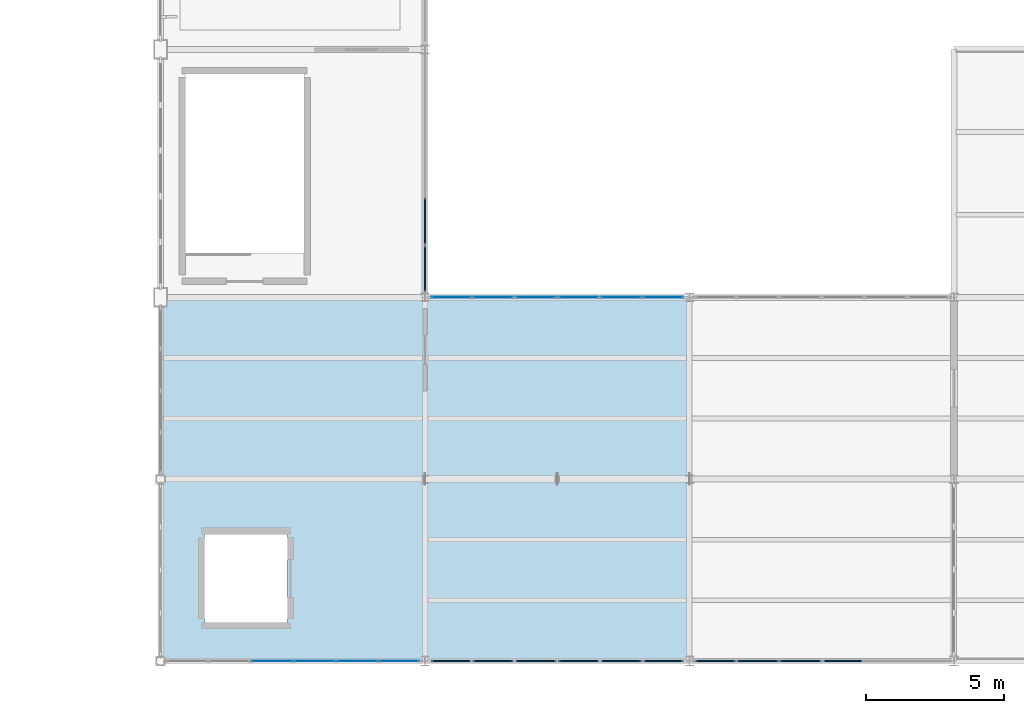
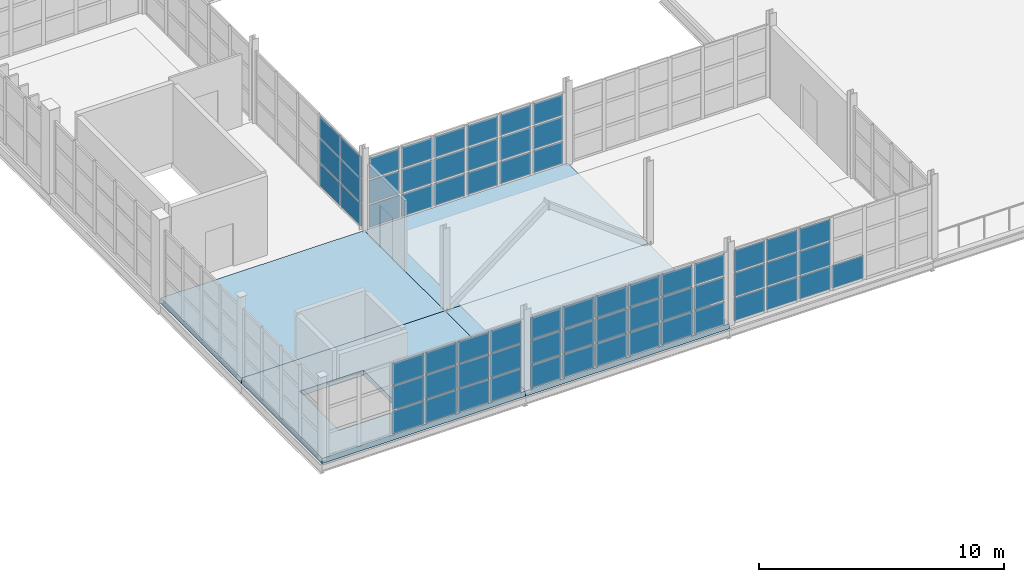
# One storey, part 60 of 82: 64 plates, 4 slabs, 5 elements without a shape of their own.
"""IFC4 building model written with IfcOpenShell, lengths in metres."""

import ifcopenshell
import ifcopenshell.guid

model = None  # the IFC model being written
_history = None  # IfcOwnerHistory: only IFC2X3 demands one
_inside = {}  # id of a spatial element -> (the spatial element, [elements in it])
_under = {}  # id of a project, library or spatial element -> (it, [spatial elements below it])
_declared = {}  # id of a project -> (the project, [libraries it declares])
_typed = {}  # id of a type object -> (the type object, [elements of that type])
_made_of = {}  # id of a material, layer set ... -> (it, [elements and type objects made of it])


def new_model(schema):
    """Start an empty IFC model of exactly this schema.

    Asked for "IFC4X3", IfcOpenShell would pick the latest addendum, in which some entities
    have other attributes; the version numbers below select the first issue.
    IFC2X3 requires an IfcOwnerHistory on every rooted entity: one is made here for all.
    """
    global model, _history
    if schema == "IFC4X3":
        model = ifcopenshell.file(schema_version=(4, 3, 0, 0))
    else:
        model = ifcopenshell.file(schema=schema)
    _inside.clear()
    _under.clear()
    _declared.clear()
    _typed.clear()
    _made_of.clear()
    _history = None
    if model.schema == "IFC2X3":
        org = make("IfcOrganization", Name="unknown")
        user = make(
            "IfcPersonAndOrganization",
            ThePerson=make("IfcPerson", FamilyName="unknown"),
            TheOrganization=org,
        )
        app = make(
            "IfcApplication",
            ApplicationDeveloper=org,
            Version="unknown",
            ApplicationFullName="unknown",
            ApplicationIdentifier="unknown",
        )
        _history = make(
            "IfcOwnerHistory",
            OwningUser=user,
            OwningApplication=app,
            ChangeAction="ADDED",
            CreationDate=0,
        )
    return model


def make(cls, **values):
    """One entity of the class cls with the attributes given. An attribute that is None is left unset."""
    return model.create_entity(
        cls, **{name: value for name, value in values.items() if value is not None}
    )


def rooted(cls, **values):
    """An entity with a GlobalId (a new one), such as an element, a storey or a relation."""
    return make(cls, GlobalId=ifcopenshell.guid.new(), OwnerHistory=_history, **values)


def si_unit(unit_type, name, prefix=None):
    """IfcSIUnit, for example si_unit("LENGTHUNIT", "METRE", prefix="MILLI")."""
    return make("IfcSIUnit", UnitType=unit_type, Prefix=prefix, Name=name)


def assignment(units):
    """IfcUnitAssignment: the units of a project."""
    return None if units is None else make("IfcUnitAssignment", Units=units)


def point(xyz):
    """IfcCartesianPoint."""
    return None if xyz is None else make("IfcCartesianPoint", Coordinates=xyz)


def direction(xyz):
    """IfcDirection."""
    return None if xyz is None else make("IfcDirection", DirectionRatios=xyz)


def frame(location, z_axis=None, x_axis=None):
    """IfcAxis2Placement3D, a coordinate frame: its origin and axes. An axis left out is left unset."""
    return make(
        "IfcAxis2Placement3D",
        Location=point(location),
        Axis=direction(z_axis),
        RefDirection=direction(x_axis),
    )


def frame_2d(location, x_axis=None):
    """IfcAxis2Placement2D, a coordinate frame in the plane: its origin and x axis."""
    return make(
        "IfcAxis2Placement2D", Location=point(location), RefDirection=direction(x_axis)
    )


def origin():
    """The frame at (0, 0, 0) with its axes left unset."""
    return frame((0.0, 0.0, 0.0))


def origin_2d():
    """The frame at (0, 0) in the plane with its x axis left unset."""
    return frame_2d((0.0, 0.0))


def place(relative_to, where):
    """IfcLocalPlacement: puts the frame where relative to a parent placement (None: the world)."""
    return make(
        "IfcLocalPlacement", PlacementRelTo=relative_to, RelativePlacement=where
    )


def context(
    kind, dimensions, precision=None, world=None, true_north=None, identifier=None
):
    """IfcGeometricRepresentationContext, for example the 3D "Model" context."""
    return make(
        "IfcGeometricRepresentationContext",
        ContextIdentifier=identifier,
        ContextType=kind,
        CoordinateSpaceDimension=dimensions,
        Precision=precision,
        WorldCoordinateSystem=world,
        TrueNorth=true_north,
    )


def subcontext(parent, identifier, kind, view, scale=None):
    """IfcGeometricRepresentationSubContext, for example "Body" below "Model"."""
    return make(
        "IfcGeometricRepresentationSubContext",
        ContextIdentifier=identifier,
        ContextType=kind,
        ParentContext=parent,
        TargetScale=scale,
        TargetView=view,
    )


def project(units=None, contexts=None):
    """IfcProject with its units and contexts."""
    return rooted(
        "IfcProject",
        Name="project",
        RepresentationContexts=contexts,
        UnitsInContext=assignment(units),
    )


def spatial(cls, under=None, at=None, **own):
    """A site, building, storey or space (cls), placed at a placement, below another one or the project."""
    s = rooted(cls, ObjectPlacement=at, **own)
    if under is not None:
        _under.setdefault(under.id(), (under, []))[1].append(s)
    return s


def polyline(points):
    """IfcPolyline through the points."""
    return make("IfcPolyline", Points=[point(p) for p in points])


def profile(cls, at=None, kind="AREA", **sizes):
    """A parametric profile (cls). Its sizes go by their IFC names, for example OverallWidth=200.0."""
    return make(cls, ProfileType=kind, Position=at, **sizes)


def rectangle(**sizes):
    """IfcRectangleProfileDef."""
    return profile("IfcRectangleProfileDef", **sizes)


def outline(outer, holes=None, kind="AREA"):
    """IfcArbitraryClosedProfileDef: a profile drawn as a closed curve; with holes, ...WithVoids."""
    if holes is None:
        return make("IfcArbitraryClosedProfileDef", ProfileType=kind, OuterCurve=outer)
    return make(
        "IfcArbitraryProfileDefWithVoids",
        ProfileType=kind,
        OuterCurve=outer,
        InnerCurves=holes,
    )


def extrude(swept, where, along, depth):
    """IfcExtrudedAreaSolid: the profile swept, set in the frame where, extruded along a direction by depth."""
    return make(
        "IfcExtrudedAreaSolid",
        SweptArea=swept,
        Position=where,
        ExtrudedDirection=direction(along),
        Depth=depth,
    )


def shape(context_of_items, identifier, shape_type, items):
    """IfcShapeRepresentation: the items that make up one representation, for example the "Body"."""
    return make(
        "IfcShapeRepresentation",
        ContextOfItems=context_of_items,
        RepresentationIdentifier=identifier,
        RepresentationType=shape_type,
        Items=items,
    )


def material(Name=None, Category=None):
    """IfcMaterial."""
    return make("IfcMaterial", Name=Name, Category=Category)


def layer(
    of_material, thickness, ventilated=None, Name=None, Category=None, Priority=None
):
    """IfcMaterialLayer: one layer of a wall or slab, of a material (None: an air gap)."""
    return make(
        "IfcMaterialLayer",
        Material=of_material,
        LayerThickness=thickness,
        IsVentilated=ventilated,
        Name=Name,
        Category=Category,
        Priority=Priority,
    )


def layer_set(layers, Name=None):
    """IfcMaterialLayerSet."""
    return make("IfcMaterialLayerSet", MaterialLayers=layers, LayerSetName=Name)


def made_of(thing, what):
    """Note that an element or type object is made of a material, layer set ...; save() writes the relation."""
    if what is not None:
        _made_of.setdefault(what.id(), (what, []))[1].append(thing)
    return thing


def type_object(cls, material=None, **own):
    """A type object (cls), such as IfcWallType, which elements share."""
    return made_of(rooted(cls, **own), material)


def element(
    cls,
    number,
    at=None,
    inside=None,
    cuts=None,
    type_object=None,
    material=None,
    context=None,
    identifier="Body",
    shape_type=None,
    held_by="IfcProductDefinitionShape",
    body=None,
    shapes=None,
    **own,
):
    """One element of the class cls, such as IfcWall. Its Tag is "e" and its number.

    at: its placement. inside: the storey or other place that contains it. cuts: it is an
    opening in that element (IfcRelVoidsElement). A single representation is given by context,
    identifier, shape_type and body (its items); several are given by shapes. held_by: the class
    of the entity that holds the representations. save() writes the other relations.
    """
    e = rooted(cls, Tag="e%d" % number, ObjectPlacement=at, **own)
    if body is not None:
        shapes = [shape(context, identifier, shape_type, body)]
    if shapes is not None:
        e.Representation = make(held_by, Representations=shapes)
    if inside is not None:
        _inside.setdefault(inside.id(), (inside, []))[1].append(e)
    if cuts is not None:
        rooted(
            "IfcRelVoidsElement", RelatingBuildingElement=cuts, RelatedOpeningElement=e
        )
    if type_object is not None:
        _typed.setdefault(type_object.id(), (type_object, []))[1].append(e)
    return made_of(e, material)


def aggregate(whole, parts):
    """IfcRelAggregates: a whole, such as a stair, and the parts it consists of."""
    return rooted("IfcRelAggregates", RelatingObject=whole, RelatedObjects=parts)


def save(model, path):
    """Write the relations noted so far, then the file.

    IfcRelAggregates (storeys below a building ...), IfcRelContainedInSpatialStructure (elements
    in a storey), IfcRelDefinesByType, IfcRelAssociatesMaterial and IfcRelDeclares: one each for
    every whole, place, type object, material and project.
    """
    for whole, parts in _under.values():
        aggregate(whole, parts)
    for where, things in _inside.values():
        rooted(
            "IfcRelContainedInSpatialStructure",
            RelatedElements=things,
            RelatingStructure=where,
        )
    for kind, things in _typed.values():
        rooted("IfcRelDefinesByType", RelatedObjects=things, RelatingType=kind)
    for what, things in _made_of.values():
        rooted("IfcRelAssociatesMaterial", RelatedObjects=things, RelatingMaterial=what)
    for by, libraries in _declared.values():
        rooted("IfcRelDeclares", RelatingContext=by, RelatedDefinitions=libraries)
    model.write(path)


model = new_model("IFC4")

# Units and contexts
model_context = context("Model", 3, precision=1e-05, world=origin(), true_north=direction((0.0, 1.0)))
body_context = subcontext(model_context, "Body", "Model", "MODEL_VIEW")
ifc_project = project(units=[si_unit("LENGTHUNIT", "METRE"), si_unit("AREAUNIT", "SQUARE_METRE"), si_unit("VOLUMEUNIT", "CUBIC_METRE"), si_unit("PLANEANGLEUNIT", "RADIAN"), si_unit("MASSUNIT", "GRAM", prefix="KILO")], contexts=[model_context])

# Site, building, storey
site_placement = place(None, origin())
site = spatial("IfcSite", under=ifc_project, at=site_placement, CompositionType="ELEMENT")
building_placement = place(site_placement, origin())
building = spatial("IfcBuilding", under=site, at=building_placement, Name="Zarnetskaya Central Station", CompositionType="ELEMENT")
storey_placement = place(building_placement, frame((0.0, 0.0, 10.199951171875)))
storey = spatial("IfcBuildingStorey", under=building, at=storey_placement, Name="L02", CompositionType="ELEMENT", Elevation=10.199951171875)

# Curtain wall, plates
ifc_material_1 = material(Name="Low-E insulated glass", Category="glass")
ifc_layer_1 = layer(ifc_material_1, 0.1640625, Name="Low-E insulated glass", Category="glass")
ifc_layer_set_1 = layer_set([ifc_layer_1], Name="Low-E insulated glass")
curtain_wall_type = type_object("IfcCurtainWallType", Name="CW-SYS-07", PredefinedType="USERDEFINED", material=ifc_layer_set_1)
curtain_wall_1_placement = place(storey_placement, origin())
curtain_wall_1 = element("IfcCurtainWall", 1, at=curtain_wall_1_placement, inside=storey, type_object=curtain_wall_type, Name="Curtain wall CW-L02-140", ObjectType="CURTAIN WALL", PredefinedType="USERDEFINED")
ifc_layer_2 = layer(ifc_material_1, 0.028076171875, Name="Low-E insulated glass", Category="glass")
ifc_layer_set_2 = layer_set([ifc_layer_2], Name="Low-E insulated glass")
plate_type_1 = type_object("IfcPlateType", Name="CW-PAN-28", PredefinedType="CURTAIN_PANEL", material=ifc_layer_set_2)
plate_1_placement = place(storey_placement, frame((135.344970703125, 13.199951171875, 0.080078125), z_axis=(0.0, 0.0, 1.0), x_axis=(1.0, 0.0, 0.0)))
plate_1 = element("IfcPlate", 2, at=plate_1_placement, type_object=plate_type_1, Name="CW-06 panel 1.1", PredefinedType="CURTAIN_PANEL", context=body_context, shape_type="SweptSolid", body=[
    extrude(rectangle(XDim=1.429931640625, YDim=0.028076171875, at=origin_2d()), origin(), (0.0, 0.0, 1.0), 1.10400390625),
])
plate_2_placement = place(storey_placement, frame((135.344970703125, 13.199951171875, 1.263916015625), z_axis=(0.0, 0.0, 1.0), x_axis=(1.0, 0.0, 0.0)))
plate_2 = element("IfcPlate", 3, at=plate_2_placement, type_object=plate_type_1, Name="CW-06 panel 1.2", PredefinedType="CURTAIN_PANEL", context=body_context, shape_type="SweptSolid", body=[
    extrude(rectangle(XDim=1.429931640625, YDim=0.028076171875, at=origin_2d()), origin(), (0.0, 0.0, 1.0), 1.14404296875),
])
plate_3_placement = place(storey_placement, frame((135.344970703125, 13.199951171875, 2.48828125), z_axis=(0.0, 0.0, 1.0), x_axis=(1.0, 0.0, 0.0)))
plate_3 = element("IfcPlate", 4, at=plate_3_placement, type_object=plate_type_1, Name="CW-06 panel 1.3", PredefinedType="CURTAIN_PANEL", context=body_context, shape_type="SweptSolid", body=[
    extrude(rectangle(XDim=1.429931640625, YDim=0.028076171875, at=origin_2d()), origin(), (0.0, 0.0, 1.0), 1.031982421875),
])
plate_4_placement = place(storey_placement, frame((136.875, 13.199951171875, 0.080078125), z_axis=(0.0, 0.0, 1.0), x_axis=(1.0, 0.0, 0.0)))
plate_4 = element("IfcPlate", 5, at=plate_4_placement, type_object=plate_type_1, Name="CW-06 panel 2.1", PredefinedType="CURTAIN_PANEL", context=body_context, shape_type="SweptSolid", body=[
    extrude(rectangle(XDim=1.469970703125, YDim=0.028076171875, at=origin_2d()), origin(), (0.0, 0.0, 1.0), 1.10400390625),
])
plate_5_placement = place(storey_placement, frame((136.875, 13.199951171875, 1.263916015625), z_axis=(0.0, 0.0, 1.0), x_axis=(1.0, 0.0, 0.0)))
plate_5 = element("IfcPlate", 6, at=plate_5_placement, type_object=plate_type_1, Name="CW-06 panel 2.2", PredefinedType="CURTAIN_PANEL", context=body_context, shape_type="SweptSolid", body=[
    extrude(rectangle(XDim=1.469970703125, YDim=0.028076171875, at=origin_2d()), origin(), (0.0, 0.0, 1.0), 1.14404296875),
])
plate_6_placement = place(storey_placement, frame((136.875, 13.199951171875, 2.48828125), z_axis=(0.0, 0.0, 1.0), x_axis=(1.0, 0.0, 0.0)))
plate_6 = element("IfcPlate", 7, at=plate_6_placement, type_object=plate_type_1, Name="CW-06 panel 2.3", PredefinedType="CURTAIN_PANEL", context=body_context, shape_type="SweptSolid", body=[
    extrude(rectangle(XDim=1.469970703125, YDim=0.028076171875, at=origin_2d()), origin(), (0.0, 0.0, 1.0), 1.031982421875),
])
plate_7_placement = place(storey_placement, frame((138.425048828125, 13.199951171875, 0.080078125), z_axis=(0.0, 0.0, 1.0), x_axis=(1.0, 0.0, 0.0)))
plate_7 = element("IfcPlate", 8, at=plate_7_placement, type_object=plate_type_1, Name="CW-06 panel 3.1", PredefinedType="CURTAIN_PANEL", context=body_context, shape_type="SweptSolid", body=[
    extrude(rectangle(XDim=1.469970703125, YDim=0.028076171875, at=origin_2d()), origin(), (0.0, 0.0, 1.0), 1.10400390625),
])
plate_8_placement = place(storey_placement, frame((138.425048828125, 13.199951171875, 1.263916015625), z_axis=(0.0, 0.0, 1.0), x_axis=(1.0, 0.0, 0.0)))
plate_8 = element("IfcPlate", 9, at=plate_8_placement, type_object=plate_type_1, Name="CW-06 panel 3.2", PredefinedType="CURTAIN_PANEL", context=body_context, shape_type="SweptSolid", body=[
    extrude(rectangle(XDim=1.469970703125, YDim=0.028076171875, at=origin_2d()), origin(), (0.0, 0.0, 1.0), 1.14404296875),
])
plate_9_placement = place(storey_placement, frame((138.425048828125, 13.199951171875, 2.48828125), z_axis=(0.0, 0.0, 1.0), x_axis=(1.0, 0.0, 0.0)))
plate_9 = element("IfcPlate", 10, at=plate_9_placement, type_object=plate_type_1, Name="CW-06 panel 3.3", PredefinedType="CURTAIN_PANEL", context=body_context, shape_type="SweptSolid", body=[
    extrude(rectangle(XDim=1.469970703125, YDim=0.028076171875, at=origin_2d()), origin(), (0.0, 0.0, 1.0), 1.031982421875),
])
plate_10_placement = place(storey_placement, frame((139.97509765625, 13.199951171875, 0.080078125), z_axis=(0.0, 0.0, 1.0), x_axis=(1.0, 0.0, 0.0)))
plate_10 = element("IfcPlate", 11, at=plate_10_placement, type_object=plate_type_1, Name="CW-06 panel 4.1", PredefinedType="CURTAIN_PANEL", context=body_context, shape_type="SweptSolid", body=[
    extrude(rectangle(XDim=1.469970703125, YDim=0.028076171875, at=origin_2d()), origin(), (0.0, 0.0, 1.0), 1.10400390625),
])
plate_11_placement = place(storey_placement, frame((139.97509765625, 13.199951171875, 1.263916015625), z_axis=(0.0, 0.0, 1.0), x_axis=(1.0, 0.0, 0.0)))
plate_11 = element("IfcPlate", 12, at=plate_11_placement, type_object=plate_type_1, Name="CW-06 panel 4.2", PredefinedType="CURTAIN_PANEL", context=body_context, shape_type="SweptSolid", body=[
    extrude(rectangle(XDim=1.469970703125, YDim=0.028076171875, at=origin_2d()), origin(), (0.0, 0.0, 1.0), 1.14404296875),
])
plate_12_placement = place(storey_placement, frame((139.97509765625, 13.199951171875, 2.48828125), z_axis=(0.0, 0.0, 1.0), x_axis=(1.0, 0.0, 0.0)))
plate_12 = element("IfcPlate", 13, at=plate_12_placement, type_object=plate_type_1, Name="CW-06 panel 4.3", PredefinedType="CURTAIN_PANEL", context=body_context, shape_type="SweptSolid", body=[
    extrude(rectangle(XDim=1.469970703125, YDim=0.028076171875, at=origin_2d()), origin(), (0.0, 0.0, 1.0), 1.031982421875),
])
plate_13_placement = place(storey_placement, frame((141.52490234375, 13.199951171875, 0.080078125), z_axis=(0.0, 0.0, 1.0), x_axis=(1.0, 0.0, 0.0)))
plate_13 = element("IfcPlate", 14, at=plate_13_placement, type_object=plate_type_1, Name="CW-06 panel 5.1", PredefinedType="CURTAIN_PANEL", context=body_context, shape_type="SweptSolid", body=[
    extrude(rectangle(XDim=1.469970703125, YDim=0.028076171875, at=origin_2d()), origin(), (0.0, 0.0, 1.0), 1.10400390625),
])
plate_14_placement = place(storey_placement, frame((141.52490234375, 13.199951171875, 1.263916015625), z_axis=(0.0, 0.0, 1.0), x_axis=(1.0, 0.0, 0.0)))
plate_14 = element("IfcPlate", 15, at=plate_14_placement, type_object=plate_type_1, Name="CW-06 panel 5.2", PredefinedType="CURTAIN_PANEL", context=body_context, shape_type="SweptSolid", body=[
    extrude(rectangle(XDim=1.469970703125, YDim=0.028076171875, at=origin_2d()), origin(), (0.0, 0.0, 1.0), 1.14404296875),
])
plate_15_placement = place(storey_placement, frame((141.52490234375, 13.199951171875, 2.48828125), z_axis=(0.0, 0.0, 1.0), x_axis=(1.0, 0.0, 0.0)))
plate_15 = element("IfcPlate", 16, at=plate_15_placement, type_object=plate_type_1, Name="CW-06 panel 5.3", PredefinedType="CURTAIN_PANEL", context=body_context, shape_type="SweptSolid", body=[
    extrude(rectangle(XDim=1.469970703125, YDim=0.028076171875, at=origin_2d()), origin(), (0.0, 0.0, 1.0), 1.031982421875),
])
plate_16_placement = place(storey_placement, frame((143.054931640625, 13.199951171875, 0.080078125), z_axis=(0.0, 0.0, 1.0), x_axis=(1.0, 0.0, 0.0)))
plate_16 = element("IfcPlate", 17, at=plate_16_placement, type_object=plate_type_1, Name="CW-06 panel 6.1", PredefinedType="CURTAIN_PANEL", context=body_context, shape_type="SweptSolid", body=[
    extrude(rectangle(XDim=1.429931640625, YDim=0.028076171875, at=origin_2d()), origin(), (0.0, 0.0, 1.0), 1.10400390625),
])
plate_17_placement = place(storey_placement, frame((143.054931640625, 13.199951171875, 1.263916015625), z_axis=(0.0, 0.0, 1.0), x_axis=(1.0, 0.0, 0.0)))
plate_17 = element("IfcPlate", 18, at=plate_17_placement, type_object=plate_type_1, Name="CW-06 panel 6.2", PredefinedType="CURTAIN_PANEL", context=body_context, shape_type="SweptSolid", body=[
    extrude(rectangle(XDim=1.429931640625, YDim=0.028076171875, at=origin_2d()), origin(), (0.0, 0.0, 1.0), 1.14404296875),
])
plate_18_placement = place(storey_placement, frame((143.054931640625, 13.199951171875, 2.48828125), z_axis=(0.0, 0.0, 1.0), x_axis=(1.0, 0.0, 0.0)))
plate_18 = element("IfcPlate", 19, at=plate_18_placement, type_object=plate_type_1, Name="CW-06 panel 6.3", PredefinedType="CURTAIN_PANEL", context=body_context, shape_type="SweptSolid", body=[
    extrude(rectangle(XDim=1.429931640625, YDim=0.028076171875, at=origin_2d()), origin(), (0.0, 0.0, 1.0), 1.031982421875),
])
aggregate(curtain_wall_1, [plate_1, plate_2, plate_3, plate_4, plate_5, plate_6, plate_7, plate_8, plate_9, plate_10, plate_11, plate_12, plate_13, plate_14, plate_15, plate_16, plate_17, plate_18])

curtain_wall_2_placement = place(storey_placement, origin())
curtain_wall_2 = element("IfcCurtainWall", 20, at=curtain_wall_2_placement, inside=storey, type_object=curtain_wall_type, Name="Curtain wall CW-L02-145", ObjectType="CURTAIN WALL", PredefinedType="USERDEFINED")
plate_19_placement = place(storey_placement, frame((133.459716796875, 0.0, 0.06982421875), z_axis=(0.0, 0.0, 1.0), x_axis=(-1.0, 0.0, 0.0)))
plate_19 = element("IfcPlate", 21, at=plate_19_placement, type_object=plate_type_1, Name="CW-06 panel 1.1", PredefinedType="CURTAIN_PANEL", context=body_context, shape_type="SweptSolid", body=[
    extrude(rectangle(XDim=1.4404296875, YDim=0.028076171875, at=origin_2d()), origin(), (0.0, 0.0, 1.0), 1.133056640625),
])
plate_20_placement = place(storey_placement, frame((133.459716796875, 0.0, 1.27294921875), z_axis=(0.0, 0.0, 1.0), x_axis=(-1.0, 0.0, 0.0)))
plate_20 = element("IfcPlate", 22, at=plate_20_placement, type_object=plate_type_1, Name="CW-06 panel 1.2", PredefinedType="CURTAIN_PANEL", context=body_context, shape_type="SweptSolid", body=[
    extrude(rectangle(XDim=1.4404296875, YDim=0.028076171875, at=origin_2d()), origin(), (0.0, 0.0, 1.0), 1.1669921875),
])
plate_21_placement = place(storey_placement, frame((133.459716796875, 0.0, 2.510009765625), z_axis=(0.0, 0.0, 1.0), x_axis=(-1.0, 0.0, 0.0)))
plate_21 = element("IfcPlate", 23, at=plate_21_placement, type_object=plate_type_1, Name="CW-06 panel 1.3", PredefinedType="CURTAIN_PANEL", context=body_context, shape_type="SweptSolid", body=[
    extrude(rectangle(XDim=1.4404296875, YDim=0.028076171875, at=origin_2d()), origin(), (0.0, 0.0, 1.0), 1.06005859375),
])
plate_22_placement = place(storey_placement, frame((131.931884765625, 0.0, 0.06982421875), z_axis=(0.0, 0.0, 1.0), x_axis=(-1.0, 0.0, 0.0)))
plate_22 = element("IfcPlate", 24, at=plate_22_placement, type_object=plate_type_1, Name="CW-06 panel 2.1", PredefinedType="CURTAIN_PANEL", context=body_context, shape_type="SweptSolid", body=[
    extrude(rectangle(XDim=1.475341796875, YDim=0.028076171875, at=origin_2d()), origin(), (0.0, 0.0, 1.0), 1.133056640625),
])
plate_23_placement = place(storey_placement, frame((131.931884765625, 0.0, 1.27294921875), z_axis=(0.0, 0.0, 1.0), x_axis=(-1.0, 0.0, 0.0)))
plate_23 = element("IfcPlate", 25, at=plate_23_placement, type_object=plate_type_1, Name="CW-06 panel 2.2", PredefinedType="CURTAIN_PANEL", context=body_context, shape_type="SweptSolid", body=[
    extrude(rectangle(XDim=1.475341796875, YDim=0.028076171875, at=origin_2d()), origin(), (0.0, 0.0, 1.0), 1.1669921875),
])
plate_24_placement = place(storey_placement, frame((131.931884765625, 0.0, 2.510009765625), z_axis=(0.0, 0.0, 1.0), x_axis=(-1.0, 0.0, 0.0)))
plate_24 = element("IfcPlate", 26, at=plate_24_placement, type_object=plate_type_1, Name="CW-06 panel 2.3", PredefinedType="CURTAIN_PANEL", context=body_context, shape_type="SweptSolid", body=[
    extrude(rectangle(XDim=1.475341796875, YDim=0.028076171875, at=origin_2d()), origin(), (0.0, 0.0, 1.0), 1.06005859375),
])
plate_25_placement = place(storey_placement, frame((130.386474609375, 0.0, 0.06982421875), z_axis=(0.0, 0.0, 1.0), x_axis=(-1.0, 0.0, 0.0)))
plate_25 = element("IfcPlate", 27, at=plate_25_placement, type_object=plate_type_1, Name="CW-06 panel 3.1", PredefinedType="CURTAIN_PANEL", context=body_context, shape_type="SweptSolid", body=[
    extrude(rectangle(XDim=1.475341796875, YDim=0.028076171875, at=origin_2d()), origin(), (0.0, 0.0, 1.0), 1.133056640625),
])
plate_26_placement = place(storey_placement, frame((130.386474609375, 0.0, 1.27294921875), z_axis=(0.0, 0.0, 1.0), x_axis=(-1.0, 0.0, 0.0)))
plate_26 = element("IfcPlate", 28, at=plate_26_placement, type_object=plate_type_1, Name="CW-06 panel 3.2", PredefinedType="CURTAIN_PANEL", context=body_context, shape_type="SweptSolid", body=[
    extrude(rectangle(XDim=1.475341796875, YDim=0.028076171875, at=origin_2d()), origin(), (0.0, 0.0, 1.0), 1.1669921875),
])
plate_27_placement = place(storey_placement, frame((130.386474609375, 0.0, 2.510009765625), z_axis=(0.0, 0.0, 1.0), x_axis=(-1.0, 0.0, 0.0)))
plate_27 = element("IfcPlate", 29, at=plate_27_placement, type_object=plate_type_1, Name="CW-06 panel 3.3", PredefinedType="CURTAIN_PANEL", context=body_context, shape_type="SweptSolid", body=[
    extrude(rectangle(XDim=1.475341796875, YDim=0.028076171875, at=origin_2d()), origin(), (0.0, 0.0, 1.0), 1.06005859375),
])
plate_28_placement = place(storey_placement, frame((128.84130859375, 0.0, 0.06982421875), z_axis=(0.0, 0.0, 1.0), x_axis=(-1.0, 0.0, 0.0)))
plate_28 = element("IfcPlate", 30, at=plate_28_placement, type_object=plate_type_1, Name="CW-06 panel 4.1", PredefinedType="CURTAIN_PANEL", context=body_context, shape_type="SweptSolid", body=[
    extrude(rectangle(XDim=1.475341796875, YDim=0.028076171875, at=origin_2d()), origin(), (0.0, 0.0, 1.0), 1.133056640625),
])
plate_29_placement = place(storey_placement, frame((128.84130859375, 0.0, 1.27294921875), z_axis=(0.0, 0.0, 1.0), x_axis=(-1.0, 0.0, 0.0)))
plate_29 = element("IfcPlate", 31, at=plate_29_placement, type_object=plate_type_1, Name="CW-06 panel 4.2", PredefinedType="CURTAIN_PANEL", context=body_context, shape_type="SweptSolid", body=[
    extrude(rectangle(XDim=1.475341796875, YDim=0.028076171875, at=origin_2d()), origin(), (0.0, 0.0, 1.0), 1.1669921875),
])
plate_30_placement = place(storey_placement, frame((128.84130859375, 0.0, 2.510009765625), z_axis=(0.0, 0.0, 1.0), x_axis=(-1.0, 0.0, 0.0)))
plate_30 = element("IfcPlate", 32, at=plate_30_placement, type_object=plate_type_1, Name="CW-06 panel 4.3", PredefinedType="CURTAIN_PANEL", context=body_context, shape_type="SweptSolid", body=[
    extrude(rectangle(XDim=1.475341796875, YDim=0.028076171875, at=origin_2d()), origin(), (0.0, 0.0, 1.0), 1.06005859375),
])
aggregate(curtain_wall_2, [plate_19, plate_20, plate_21, plate_22, plate_23, plate_24, plate_25, plate_26, plate_27, plate_28, plate_29, plate_30])

curtain_wall_3_placement = place(storey_placement, origin())
curtain_wall_3 = element("IfcCurtainWall", 33, at=curtain_wall_3_placement, inside=storey, type_object=curtain_wall_type, Name="Curtain wall CW-L02-143", ObjectType="CURTAIN WALL", PredefinedType="USERDEFINED")
ifc_layer_3 = layer(ifc_material_1, 0.0400390625, Name="Low-E insulated glass", Category="glass")
ifc_layer_set_3 = layer_set([ifc_layer_3], Name="Low-E insulated glass")
plate_type_2 = type_object("IfcPlateType", Name="CW-PAN-40", PredefinedType="CURTAIN_PANEL", material=ifc_layer_set_3)
plate_31_placement = place(storey_placement, frame((149.574951171875, 0.0, 0.06982421875), z_axis=(0.0, 0.0, 1.0), x_axis=(-1.0, 0.0, 0.0)))
plate_31 = element("IfcPlate", 34, at=plate_31_placement, type_object=plate_type_2, Name="CW-06 panel 3.1", PredefinedType="CURTAIN_PANEL", context=body_context, shape_type="SweptSolid", body=[
    extrude(rectangle(XDim=1.47998046875, YDim=0.0400390625, at=origin_2d()), origin(), (0.0, 0.0, 1.0), 1.133056640625),
])
plate_32_placement = place(storey_placement, frame((148.02490234375, 0.0, 0.06982421875), z_axis=(0.0, 0.0, 1.0), x_axis=(-1.0, 0.0, 0.0)))
plate_32 = element("IfcPlate", 35, at=plate_32_placement, type_object=plate_type_2, Name="CW-06 panel 4.1", PredefinedType="CURTAIN_PANEL", context=body_context, shape_type="SweptSolid", body=[
    extrude(rectangle(XDim=1.47998046875, YDim=0.0400390625, at=origin_2d()), origin(), (0.0, 0.0, 1.0), 1.133056640625),
])
plate_33_placement = place(storey_placement, frame((148.02490234375, 0.0, 1.27294921875), z_axis=(0.0, 0.0, 1.0), x_axis=(-1.0, 0.0, 0.0)))
plate_33 = element("IfcPlate", 36, at=plate_33_placement, type_object=plate_type_2, Name="CW-06 panel 4.2", PredefinedType="CURTAIN_PANEL", context=body_context, shape_type="SweptSolid", body=[
    extrude(rectangle(XDim=1.47998046875, YDim=0.0400390625, at=origin_2d()), origin(), (0.0, 0.0, 1.0), 1.1669921875),
])
plate_34_placement = place(storey_placement, frame((148.02490234375, 0.0, 2.510009765625), z_axis=(0.0, 0.0, 1.0), x_axis=(-1.0, 0.0, 0.0)))
plate_34 = element("IfcPlate", 37, at=plate_34_placement, type_object=plate_type_2, Name="CW-06 panel 4.3", PredefinedType="CURTAIN_PANEL", context=body_context, shape_type="SweptSolid", body=[
    extrude(rectangle(XDim=1.47998046875, YDim=0.0400390625, at=origin_2d()), origin(), (0.0, 0.0, 1.0), 1.06005859375),
])
plate_35_placement = place(storey_placement, frame((146.47509765625, 0.0, 0.06982421875), z_axis=(0.0, 0.0, 1.0), x_axis=(-1.0, 0.0, 0.0)))
plate_35 = element("IfcPlate", 38, at=plate_35_placement, type_object=plate_type_2, Name="CW-06 panel 5.1", PredefinedType="CURTAIN_PANEL", context=body_context, shape_type="SweptSolid", body=[
    extrude(rectangle(XDim=1.47998046875, YDim=0.0400390625, at=origin_2d()), origin(), (0.0, 0.0, 1.0), 1.133056640625),
])
plate_36_placement = place(storey_placement, frame((146.47509765625, 0.0, 1.27294921875), z_axis=(0.0, 0.0, 1.0), x_axis=(-1.0, 0.0, 0.0)))
plate_36 = element("IfcPlate", 39, at=plate_36_placement, type_object=plate_type_2, Name="CW-06 panel 5.2", PredefinedType="CURTAIN_PANEL", context=body_context, shape_type="SweptSolid", body=[
    extrude(rectangle(XDim=1.47998046875, YDim=0.0400390625, at=origin_2d()), origin(), (0.0, 0.0, 1.0), 1.1669921875),
])
plate_37_placement = place(storey_placement, frame((146.47509765625, 0.0, 2.510009765625), z_axis=(0.0, 0.0, 1.0), x_axis=(-1.0, 0.0, 0.0)))
plate_37 = element("IfcPlate", 40, at=plate_37_placement, type_object=plate_type_2, Name="CW-06 panel 5.3", PredefinedType="CURTAIN_PANEL", context=body_context, shape_type="SweptSolid", body=[
    extrude(rectangle(XDim=1.47998046875, YDim=0.0400390625, at=origin_2d()), origin(), (0.0, 0.0, 1.0), 1.06005859375),
])
plate_38_placement = place(storey_placement, frame((144.9423828125, 0.0, 0.06982421875), z_axis=(0.0, 0.0, 1.0), x_axis=(-1.0, 0.0, 0.0)))
plate_38 = element("IfcPlate", 41, at=plate_38_placement, type_object=plate_type_2, Name="CW-06 panel 6.1", PredefinedType="CURTAIN_PANEL", context=body_context, shape_type="SweptSolid", body=[
    extrude(rectangle(XDim=1.445068359375, YDim=0.0400390625, at=origin_2d()), origin(), (0.0, 0.0, 1.0), 1.133056640625),
])
plate_39_placement = place(storey_placement, frame((144.9423828125, 0.0, 1.27294921875), z_axis=(0.0, 0.0, 1.0), x_axis=(-1.0, 0.0, 0.0)))
plate_39 = element("IfcPlate", 42, at=plate_39_placement, type_object=plate_type_2, Name="CW-06 panel 6.2", PredefinedType="CURTAIN_PANEL", context=body_context, shape_type="SweptSolid", body=[
    extrude(rectangle(XDim=1.445068359375, YDim=0.0400390625, at=origin_2d()), origin(), (0.0, 0.0, 1.0), 1.1669921875),
])
plate_40_placement = place(storey_placement, frame((144.9423828125, 0.0, 2.510009765625), z_axis=(0.0, 0.0, 1.0), x_axis=(-1.0, 0.0, 0.0)))
plate_40 = element("IfcPlate", 43, at=plate_40_placement, type_object=plate_type_2, Name="CW-06 panel 6.3", PredefinedType="CURTAIN_PANEL", context=body_context, shape_type="SweptSolid", body=[
    extrude(rectangle(XDim=1.445068359375, YDim=0.0400390625, at=origin_2d()), origin(), (0.0, 0.0, 1.0), 1.06005859375),
])
aggregate(curtain_wall_3, [plate_31, plate_32, plate_33, plate_34, plate_35, plate_36, plate_37, plate_38, plate_39, plate_40])

curtain_wall_4_placement = place(storey_placement, origin())
curtain_wall_4 = element("IfcCurtainWall", 44, at=curtain_wall_4_placement, inside=storey, type_object=curtain_wall_type, Name="Curtain wall CW-L02-139", ObjectType="CURTAIN WALL", PredefinedType="USERDEFINED")
ifc_layer_4 = layer(ifc_material_1, 0.0439453125, Name="Low-E insulated glass", Category="glass")
ifc_layer_set_4 = layer_set([ifc_layer_4], Name="Low-E insulated glass")
plate_type_3 = type_object("IfcPlateType", Name="CW-PAN-44", PredefinedType="CURTAIN_PANEL", material=ifc_layer_set_4)
plate_41_placement = place(storey_placement, frame((134.39990234375, 15.9599609375, 0.0703125), z_axis=(0.0, 0.0, 1.0), x_axis=(0.0, -1.0, 0.0)))
plate_41 = element("IfcPlate", 45, at=plate_41_placement, type_object=plate_type_3, Name="CW-06 panel 4.1", PredefinedType="CURTAIN_PANEL", context=body_context, shape_type="SweptSolid", body=[
    extrude(rectangle(XDim=1.669921875, YDim=0.0439453125, at=origin_2d()), origin(), (0.0, 0.0, 1.0), 1.118896484375),
])
plate_42_placement = place(storey_placement, frame((134.39990234375, 15.9599609375, 1.2587890625), z_axis=(0.0, 0.0, 1.0), x_axis=(0.0, -1.0, 0.0)))
plate_42 = element("IfcPlate", 46, at=plate_42_placement, type_object=plate_type_3, Name="CW-06 panel 4.2", PredefinedType="CURTAIN_PANEL", context=body_context, shape_type="SweptSolid", body=[
    extrude(rectangle(XDim=1.669921875, YDim=0.0439453125, at=origin_2d()), origin(), (0.0, 0.0, 1.0), 1.154052734375),
])
plate_43_placement = place(storey_placement, frame((134.39990234375, 15.9599609375, 2.48291015625), z_axis=(0.0, 0.0, 1.0), x_axis=(0.0, -1.0, 0.0)))
plate_43 = element("IfcPlate", 47, at=plate_43_placement, type_object=plate_type_3, Name="CW-06 panel 4.3", PredefinedType="CURTAIN_PANEL", context=body_context, shape_type="SweptSolid", body=[
    extrude(rectangle(XDim=1.669921875, YDim=0.0439453125, at=origin_2d()), origin(), (0.0, 0.0, 1.0), 1.047119140625),
])
plate_44_placement = place(storey_placement, frame((134.39990234375, 14.237548828125, 0.0703125), z_axis=(0.0, 0.0, 1.0), x_axis=(0.0, -1.0, 0.0)))
plate_44 = element("IfcPlate", 48, at=plate_44_placement, type_object=plate_type_3, Name="CW-06 panel 5.1", PredefinedType="CURTAIN_PANEL", context=body_context, shape_type="SweptSolid", body=[
    extrude(rectangle(XDim=1.635009765625, YDim=0.0439453125, at=origin_2d()), origin(), (0.0, 0.0, 1.0), 1.118896484375),
])
plate_45_placement = place(storey_placement, frame((134.39990234375, 14.237548828125, 1.2587890625), z_axis=(0.0, 0.0, 1.0), x_axis=(0.0, -1.0, 0.0)))
plate_45 = element("IfcPlate", 49, at=plate_45_placement, type_object=plate_type_3, Name="CW-06 panel 5.2", PredefinedType="CURTAIN_PANEL", context=body_context, shape_type="SweptSolid", body=[
    extrude(rectangle(XDim=1.635009765625, YDim=0.0439453125, at=origin_2d()), origin(), (0.0, 0.0, 1.0), 1.154052734375),
])
plate_46_placement = place(storey_placement, frame((134.39990234375, 14.237548828125, 2.48291015625), z_axis=(0.0, 0.0, 1.0), x_axis=(0.0, -1.0, 0.0)))
plate_46 = element("IfcPlate", 50, at=plate_46_placement, type_object=plate_type_3, Name="CW-06 panel 5.3", PredefinedType="CURTAIN_PANEL", context=body_context, shape_type="SweptSolid", body=[
    extrude(rectangle(XDim=1.635009765625, YDim=0.0439453125, at=origin_2d()), origin(), (0.0, 0.0, 1.0), 1.047119140625),
])
aggregate(curtain_wall_4, [plate_41, plate_42, plate_43, plate_44, plate_45, plate_46])

curtain_wall_5_placement = place(storey_placement, origin())
curtain_wall_5 = element("IfcCurtainWall", 51, at=curtain_wall_5_placement, inside=storey, type_object=curtain_wall_type, Name="Curtain wall CW-L02-144", ObjectType="CURTAIN WALL", PredefinedType="USERDEFINED")
plate_47_placement = place(storey_placement, frame((143.054931640625, 0.0, 0.080078125), z_axis=(0.0, 0.0, 1.0), x_axis=(-1.0, 0.0, 0.0)))
plate_47 = element("IfcPlate", 52, at=plate_47_placement, type_object=plate_type_3, Name="CW-06 panel 1.1", PredefinedType="CURTAIN_PANEL", context=body_context, shape_type="SweptSolid", body=[
    extrude(rectangle(XDim=1.429931640625, YDim=0.0439453125, at=origin_2d()), origin(), (0.0, 0.0, 1.0), 1.117919921875),
])
plate_48_placement = place(storey_placement, frame((143.054931640625, 0.0, 1.27783203125), z_axis=(0.0, 0.0, 1.0), x_axis=(-1.0, 0.0, 0.0)))
plate_48 = element("IfcPlate", 53, at=plate_48_placement, type_object=plate_type_3, Name="CW-06 panel 1.2", PredefinedType="CURTAIN_PANEL", context=body_context, shape_type="SweptSolid", body=[
    extrude(rectangle(XDim=1.429931640625, YDim=0.0439453125, at=origin_2d()), origin(), (0.0, 0.0, 1.0), 1.156982421875),
])
plate_49_placement = place(storey_placement, frame((143.054931640625, 0.0, 2.51513671875), z_axis=(0.0, 0.0, 1.0), x_axis=(-1.0, 0.0, 0.0)))
plate_49 = element("IfcPlate", 54, at=plate_49_placement, type_object=plate_type_3, Name="CW-06 panel 1.3", PredefinedType="CURTAIN_PANEL", context=body_context, shape_type="SweptSolid", body=[
    extrude(rectangle(XDim=1.429931640625, YDim=0.0439453125, at=origin_2d()), origin(), (0.0, 0.0, 1.0), 1.044921875),
])
plate_50_placement = place(storey_placement, frame((141.52490234375, 0.0, 0.080078125), z_axis=(0.0, 0.0, 1.0), x_axis=(-1.0, 0.0, 0.0)))
plate_50 = element("IfcPlate", 55, at=plate_50_placement, type_object=plate_type_3, Name="CW-06 panel 2.1", PredefinedType="CURTAIN_PANEL", context=body_context, shape_type="SweptSolid", body=[
    extrude(rectangle(XDim=1.469970703125, YDim=0.0439453125, at=origin_2d()), origin(), (0.0, 0.0, 1.0), 1.117919921875),
])
plate_51_placement = place(storey_placement, frame((141.52490234375, 0.0, 1.27783203125), z_axis=(0.0, 0.0, 1.0), x_axis=(-1.0, 0.0, 0.0)))
plate_51 = element("IfcPlate", 56, at=plate_51_placement, type_object=plate_type_3, Name="CW-06 panel 2.2", PredefinedType="CURTAIN_PANEL", context=body_context, shape_type="SweptSolid", body=[
    extrude(rectangle(XDim=1.469970703125, YDim=0.0439453125, at=origin_2d()), origin(), (0.0, 0.0, 1.0), 1.156982421875),
])
plate_52_placement = place(storey_placement, frame((141.52490234375, 0.0, 2.51513671875), z_axis=(0.0, 0.0, 1.0), x_axis=(-1.0, 0.0, 0.0)))
plate_52 = element("IfcPlate", 57, at=plate_52_placement, type_object=plate_type_3, Name="CW-06 panel 2.3", PredefinedType="CURTAIN_PANEL", context=body_context, shape_type="SweptSolid", body=[
    extrude(rectangle(XDim=1.469970703125, YDim=0.0439453125, at=origin_2d()), origin(), (0.0, 0.0, 1.0), 1.044921875),
])
plate_53_placement = place(storey_placement, frame((139.97509765625, 0.0, 0.080078125), z_axis=(0.0, 0.0, 1.0), x_axis=(-1.0, 0.0, 0.0)))
plate_53 = element("IfcPlate", 58, at=plate_53_placement, type_object=plate_type_3, Name="CW-06 panel 3.1", PredefinedType="CURTAIN_PANEL", context=body_context, shape_type="SweptSolid", body=[
    extrude(rectangle(XDim=1.469970703125, YDim=0.0439453125, at=origin_2d()), origin(), (0.0, 0.0, 1.0), 1.117919921875),
])
plate_54_placement = place(storey_placement, frame((139.97509765625, 0.0, 1.27783203125), z_axis=(0.0, 0.0, 1.0), x_axis=(-1.0, 0.0, 0.0)))
plate_54 = element("IfcPlate", 59, at=plate_54_placement, type_object=plate_type_3, Name="CW-06 panel 3.2", PredefinedType="CURTAIN_PANEL", context=body_context, shape_type="SweptSolid", body=[
    extrude(rectangle(XDim=1.469970703125, YDim=0.0439453125, at=origin_2d()), origin(), (0.0, 0.0, 1.0), 1.156982421875),
])
plate_55_placement = place(storey_placement, frame((139.97509765625, 0.0, 2.51513671875), z_axis=(0.0, 0.0, 1.0), x_axis=(-1.0, 0.0, 0.0)))
plate_55 = element("IfcPlate", 60, at=plate_55_placement, type_object=plate_type_3, Name="CW-06 panel 3.3", PredefinedType="CURTAIN_PANEL", context=body_context, shape_type="SweptSolid", body=[
    extrude(rectangle(XDim=1.469970703125, YDim=0.0439453125, at=origin_2d()), origin(), (0.0, 0.0, 1.0), 1.044921875),
])
plate_56_placement = place(storey_placement, frame((138.425048828125, 0.0, 0.080078125), z_axis=(0.0, 0.0, 1.0), x_axis=(-1.0, 0.0, 0.0)))
plate_56 = element("IfcPlate", 61, at=plate_56_placement, type_object=plate_type_3, Name="CW-06 panel 4.1", PredefinedType="CURTAIN_PANEL", context=body_context, shape_type="SweptSolid", body=[
    extrude(rectangle(XDim=1.469970703125, YDim=0.0439453125, at=origin_2d()), origin(), (0.0, 0.0, 1.0), 1.117919921875),
])
plate_57_placement = place(storey_placement, frame((138.425048828125, 0.0, 1.27783203125), z_axis=(0.0, 0.0, 1.0), x_axis=(-1.0, 0.0, 0.0)))
plate_57 = element("IfcPlate", 62, at=plate_57_placement, type_object=plate_type_3, Name="CW-06 panel 4.2", PredefinedType="CURTAIN_PANEL", context=body_context, shape_type="SweptSolid", body=[
    extrude(rectangle(XDim=1.469970703125, YDim=0.0439453125, at=origin_2d()), origin(), (0.0, 0.0, 1.0), 1.156982421875),
])
plate_58_placement = place(storey_placement, frame((138.425048828125, 0.0, 2.51513671875), z_axis=(0.0, 0.0, 1.0), x_axis=(-1.0, 0.0, 0.0)))
plate_58 = element("IfcPlate", 63, at=plate_58_placement, type_object=plate_type_3, Name="CW-06 panel 4.3", PredefinedType="CURTAIN_PANEL", context=body_context, shape_type="SweptSolid", body=[
    extrude(rectangle(XDim=1.469970703125, YDim=0.0439453125, at=origin_2d()), origin(), (0.0, 0.0, 1.0), 1.044921875),
])
plate_59_placement = place(storey_placement, frame((136.875, 0.0, 0.080078125), z_axis=(0.0, 0.0, 1.0), x_axis=(-1.0, 0.0, 0.0)))
plate_59 = element("IfcPlate", 64, at=plate_59_placement, type_object=plate_type_3, Name="CW-06 panel 5.1", PredefinedType="CURTAIN_PANEL", context=body_context, shape_type="SweptSolid", body=[
    extrude(rectangle(XDim=1.469970703125, YDim=0.0439453125, at=origin_2d()), origin(), (0.0, 0.0, 1.0), 1.117919921875),
])
plate_60_placement = place(storey_placement, frame((136.875, 0.0, 1.27783203125), z_axis=(0.0, 0.0, 1.0), x_axis=(-1.0, 0.0, 0.0)))
plate_60 = element("IfcPlate", 65, at=plate_60_placement, type_object=plate_type_3, Name="CW-06 panel 5.2", PredefinedType="CURTAIN_PANEL", context=body_context, shape_type="SweptSolid", body=[
    extrude(rectangle(XDim=1.469970703125, YDim=0.0439453125, at=origin_2d()), origin(), (0.0, 0.0, 1.0), 1.156982421875),
])
plate_61_placement = place(storey_placement, frame((136.875, 0.0, 2.51513671875), z_axis=(0.0, 0.0, 1.0), x_axis=(-1.0, 0.0, 0.0)))
plate_61 = element("IfcPlate", 66, at=plate_61_placement, type_object=plate_type_3, Name="CW-06 panel 5.3", PredefinedType="CURTAIN_PANEL", context=body_context, shape_type="SweptSolid", body=[
    extrude(rectangle(XDim=1.469970703125, YDim=0.0439453125, at=origin_2d()), origin(), (0.0, 0.0, 1.0), 1.044921875),
])
plate_62_placement = place(storey_placement, frame((135.344970703125, 0.0, 0.080078125), z_axis=(0.0, 0.0, 1.0), x_axis=(-1.0, 0.0, 0.0)))
plate_62 = element("IfcPlate", 67, at=plate_62_placement, type_object=plate_type_3, Name="CW-06 panel 6.1", PredefinedType="CURTAIN_PANEL", context=body_context, shape_type="SweptSolid", body=[
    extrude(rectangle(XDim=1.429931640625, YDim=0.0439453125, at=origin_2d()), origin(), (0.0, 0.0, 1.0), 1.117919921875),
])
plate_63_placement = place(storey_placement, frame((135.344970703125, 0.0, 1.27783203125), z_axis=(0.0, 0.0, 1.0), x_axis=(-1.0, 0.0, 0.0)))
plate_63 = element("IfcPlate", 68, at=plate_63_placement, type_object=plate_type_3, Name="CW-06 panel 6.2", PredefinedType="CURTAIN_PANEL", context=body_context, shape_type="SweptSolid", body=[
    extrude(rectangle(XDim=1.429931640625, YDim=0.0439453125, at=origin_2d()), origin(), (0.0, 0.0, 1.0), 1.156982421875),
])
plate_64_placement = place(storey_placement, frame((135.344970703125, 0.0, 2.51513671875), z_axis=(0.0, 0.0, 1.0), x_axis=(-1.0, 0.0, 0.0)))
plate_64 = element("IfcPlate", 69, at=plate_64_placement, type_object=plate_type_3, Name="CW-06 panel 6.3", PredefinedType="CURTAIN_PANEL", context=body_context, shape_type="SweptSolid", body=[
    extrude(rectangle(XDim=1.429931640625, YDim=0.0439453125, at=origin_2d()), origin(), (0.0, 0.0, 1.0), 1.044921875),
])
aggregate(curtain_wall_5, [plate_47, plate_48, plate_49, plate_50, plate_51, plate_52, plate_53, plate_54, plate_55, plate_56, plate_57, plate_58, plate_59, plate_60, plate_61, plate_62, plate_63, plate_64])

# Slabs
ifc_material_2 = material(Name="Concrete C30/37", Category="concrete")
ifc_layer_5 = layer(ifc_material_2, 0.260009765625, Name="Concrete C30/37", Category="concrete")
ifc_layer_set_5 = layer_set([ifc_layer_5], Name="Concrete C30/37")
slab_type = type_object("IfcSlabType", Name="SLAB-L02-260", PredefinedType="FLOOR", material=ifc_layer_set_5)
slab_1_placement = place(storey_placement, frame((0.0, 0.0, -0.260009765625)))
element("IfcSlab", 70, at=slab_1_placement, inside=storey, type_object=slab_type, Name="L02 slab P-Q/1-2", PredefinedType="FLOOR", context=body_context, shape_type="SweptSolid", body=[
    extrude(outline(polyline([(124.800048828125, 0.0), (134.39990234375, 0.0), (134.39990234375, 6.60009765625), (124.800048828125, 6.60009765625), (124.800048828125, 0.0)]), holes=[polyline([(126.39990234375, 1.39990234375), (129.39990234375, 1.39990234375), (129.39990234375, 4.60009765625), (126.39990234375, 4.60009765625), (126.39990234375, 1.39990234375)])]), origin(), (0.0, 0.0, 1.0), 0.260009765625),
])
slab_2_placement = place(storey_placement, frame((0.0, 0.0, -0.260009765625)))
element("IfcSlab", 71, at=slab_2_placement, inside=storey, type_object=slab_type, Name="L02 slab P-Q/2-3", PredefinedType="FLOOR", context=body_context, shape_type="SweptSolid", body=[
    extrude(outline(polyline([(124.800048828125, 6.60009765625), (134.39990234375, 6.60009765625), (134.39990234375, 13.199951171875), (124.800048828125, 13.199951171875), (124.800048828125, 6.60009765625)])), origin(), (0.0, 0.0, 1.0), 0.260009765625),
])
slab_3_placement = place(storey_placement, frame((0.0, 0.0, -0.260009765625)))
element("IfcSlab", 72, at=slab_3_placement, inside=storey, type_object=slab_type, Name="L02 slab Q-R/1-2", PredefinedType="FLOOR", context=body_context, shape_type="SweptSolid", body=[
    extrude(outline(polyline([(134.39990234375, 0.0), (144.0, 0.0), (144.0, 6.60009765625), (134.39990234375, 6.60009765625), (134.39990234375, 0.0)])), origin(), (0.0, 0.0, 1.0), 0.260009765625),
])
slab_4_placement = place(storey_placement, frame((0.0, 0.0, -0.260009765625)))
element("IfcSlab", 73, at=slab_4_placement, inside=storey, type_object=slab_type, Name="L02 slab Q-R/2-3", PredefinedType="FLOOR", context=body_context, shape_type="SweptSolid", body=[
    extrude(outline(polyline([(134.39990234375, 6.60009765625), (144.0, 6.60009765625), (144.0, 13.199951171875), (134.39990234375, 13.199951171875), (134.39990234375, 6.60009765625)])), origin(), (0.0, 0.0, 1.0), 0.260009765625),
])

save(model, "model.ifc")
